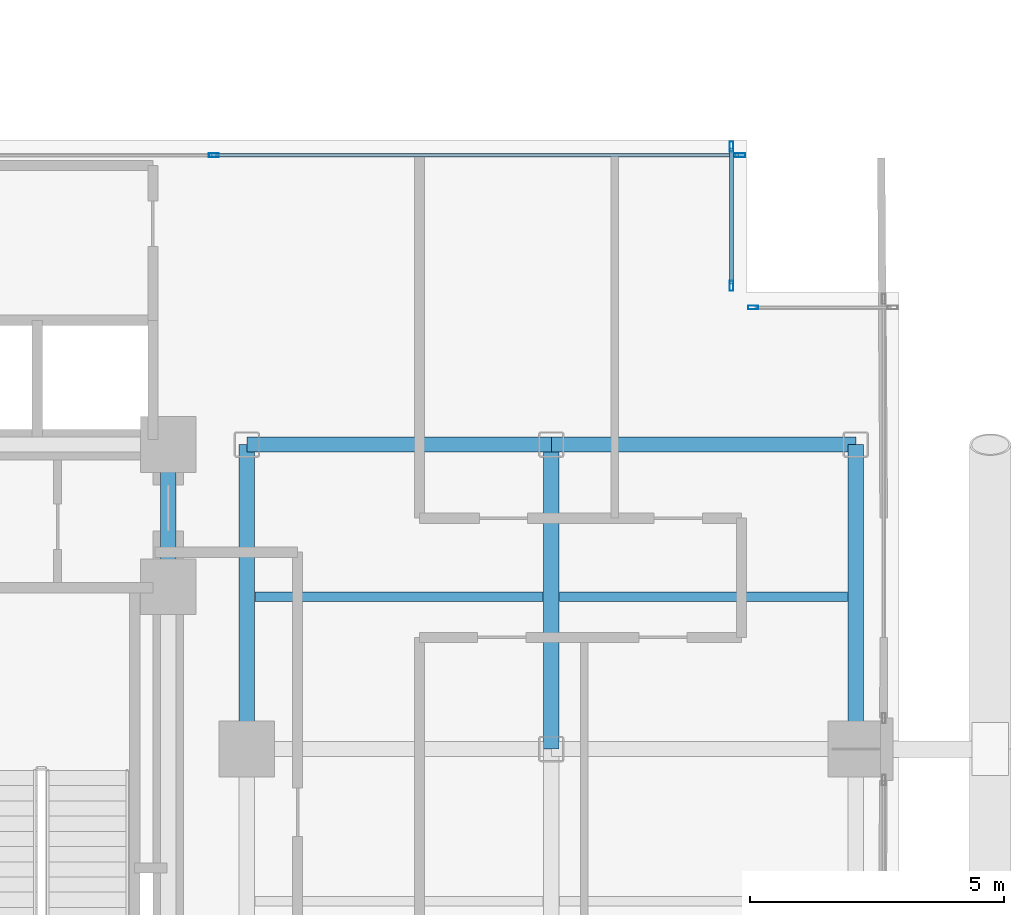
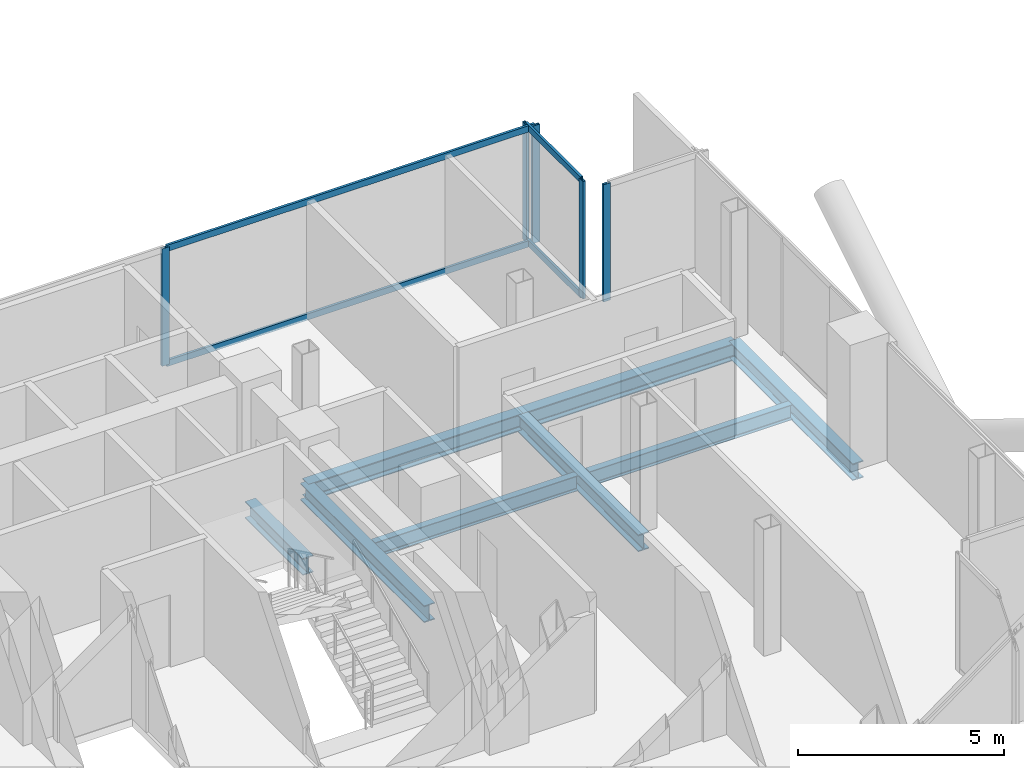
# One storey, part 13 of 28: 9 members, 8 beams, 3 elements without a shape of their own.
"""IFC4 building model written with IfcOpenShell, lengths in metres."""

from ifc_helpers import new_model, si_unit, direction, frame, origin, origin_2d, place, context, subcontext, project, spatial, hollow_rectangle, i_section, extrude, material, layer, layer_set, material_profile, profile_set, type_object, element, aggregate, save


model = new_model("IFC4")

# Units and contexts
model_context = context("Model", 3, precision=1e-05, world=origin(), true_north=direction((0.0, 1.0)))
body_context = subcontext(model_context, "Body", "Model", "MODEL_VIEW")
ifc_project = project(units=[si_unit("LENGTHUNIT", "METRE"), si_unit("AREAUNIT", "SQUARE_METRE"), si_unit("VOLUMEUNIT", "CUBIC_METRE"), si_unit("PLANEANGLEUNIT", "RADIAN"), si_unit("MASSUNIT", "GRAM", prefix="KILO"), si_unit("THERMODYNAMICTEMPERATUREUNIT", "KELVIN"), si_unit("POWERUNIT", "WATT")], contexts=[model_context])

# Site, building, storey
site_placement = place(None, origin())
site = spatial("IfcSite", under=ifc_project, at=site_placement, CompositionType="ELEMENT")
building_placement = place(site_placement, origin())
building = spatial("IfcBuilding", under=site, at=building_placement, Name="Svarakhadi Broadcast Tower", CompositionType="ELEMENT")
storey_placement = place(building_placement, frame((0.0, 0.0, 107.10009765625)))
storey = spatial("IfcBuildingStorey", under=building, at=storey_placement, Name="L25", CompositionType="ELEMENT", Elevation=107.10009765625)

# Beams
ifc_material_1 = material(Name="Steel S355J2 (IS 2062 E350C)", Category="steel")
ifc_material_profile_1 = material_profile(ifc_material_1, i_section(OverallWidth=0.18994140625, OverallDepth=0.449951171875, WebThickness=0.009521484375, FlangeThickness=0.0146484375, FilletRadius=0.02099609375, at=origin_2d()), Name="NPB 450x190x78")
ifc_profile_set_1 = profile_set([ifc_material_profile_1], Name="Steel S355J2 (IS 2062 E350C)")
beam_type_1 = type_object("IfcBeamType", Name="Beam_NPB450", PredefinedType="BEAM", material=ifc_profile_set_1)
for number, where, z_axis, x_axis, name in (
    (1, (35.31005859375, 15.0, -0.4501953125), (1.0, 0.0, 0.0), (0.0, 1.0, 0.0), "L25 Secondary Composite Beam SB021"),
    (2, (41.31005859375, 15.0, -0.4501953125), (1.0, 0.0, 0.0), (0.0, 1.0, 0.0), "L25 Secondary Composite Beam SB023"),
):
    element("IfcBeam", number, at=place(storey_placement, frame(where, z_axis=z_axis, x_axis=x_axis)), inside=storey, type_object=beam_type_1, Name=name, PredefinedType="BEAM", context=body_context, shape_type="SweptSolid", body=[
        extrude(i_section(OverallWidth=0.18994140625, OverallDepth=0.449951171875, WebThickness=0.009521484375, FlangeThickness=0.0146484375, FilletRadius=0.02099609375, at=origin_2d()), origin(), (0.0, 0.0, 1.0), 5.679931640625),
    ])

# Curtain wall, members
ifc_material_2 = material(Name="Anodised Bronze Aluminium AA 6063-T6", Category="aluminium")
ifc_layer = layer(ifc_material_2, 0.199951171875)
ifc_layer_set = layer_set([ifc_layer], Name="Anodised Bronze Aluminium AA 6063-T6")
curtain_wall_type = type_object("IfcCurtainWallType", Name="CW_Sys_03", PredefinedType="NOTDEFINED", material=ifc_layer_set)
curtain_wall_1_placement = place(storey_placement, origin())
curtain_wall_1 = element("IfcCurtainWall", 3, at=curtain_wall_1_placement, inside=storey, type_object=curtain_wall_type, Name="L25 Unitised Facade Curtain Wall 10", PredefinedType="NOTDEFINED")
ifc_material_profile_2 = material_profile(ifc_material_2, hollow_rectangle(XDim=0.074951171875, YDim=0.199951171875, WallThickness=0.005615234375, at=origin_2d()), Name="ALU MULLION 200x75x6")
ifc_profile_set_2 = profile_set([ifc_material_profile_2], Name="Anodised Bronze Aluminium AA 6063-T6")
member_type_1 = type_object("IfcMemberType", Name="CW_Sys_03_Mul", PredefinedType="MULLION", material=ifc_profile_set_2)
member_1_placement = place(storey_placement, frame((34.5, 23.699951171875, 0.0), z_axis=(0.0, 0.0, 1.0), x_axis=(0.0, 1.0, 0.0)))
member_1 = element("IfcMember", 4, at=member_1_placement, type_object=member_type_1, Name="CW-03 mullion 2", PredefinedType="MULLION", context=body_context, shape_type="SweptSolid", body=[
    extrude(hollow_rectangle(XDim=0.074951171875, YDim=0.199951171875, WallThickness=0.005615234375, at=origin_2d()), origin(), (0.0, 0.0, 1.0), 3.474853515625),
])
member_2_placement = place(storey_placement, frame((44.87255859375, 23.699951171875, 0.0), z_axis=(0.0, 0.0, 1.0), x_axis=(0.0, 1.0, 0.0)))
member_2 = element("IfcMember", 5, at=member_2_placement, type_object=member_type_1, Name="CW-03 mullion 3", PredefinedType="MULLION", context=body_context, shape_type="SweptSolid", body=[
    extrude(hollow_rectangle(XDim=0.074951171875, YDim=0.199951171875, WallThickness=0.005615234375, at=origin_2d()), origin(), (0.0, 0.0, 1.0), 3.474853515625),
])

curtain_wall_2_placement = place(storey_placement, origin())
curtain_wall_2 = element("IfcCurtainWall", 6, at=curtain_wall_2_placement, inside=storey, type_object=curtain_wall_type, Name="L25 Unitised Facade Curtain Wall 11", PredefinedType="NOTDEFINED")
member_3_placement = place(storey_placement, frame((44.699951171875, 23.87255859375, 0.0), z_axis=(0.0, 0.0, 1.0), x_axis=(1.0, 0.0, 0.0)))
member_3 = element("IfcMember", 7, at=member_3_placement, type_object=member_type_1, Name="CW-03 mullion 1", PredefinedType="MULLION", context=body_context, shape_type="SweptSolid", body=[
    extrude(hollow_rectangle(XDim=0.074951171875, YDim=0.199951171875, WallThickness=0.005615234375, at=origin_2d()), origin(), (0.0, 0.0, 1.0), 3.474853515625),
])
member_4_placement = place(storey_placement, frame((44.699951171875, 21.12744140625, 0.0), z_axis=(0.0, 0.0, 1.0), x_axis=(1.0, 0.0, 0.0)))
member_4 = element("IfcMember", 8, at=member_4_placement, type_object=member_type_1, Name="CW-03 mullion 2", PredefinedType="MULLION", context=body_context, shape_type="SweptSolid", body=[
    extrude(hollow_rectangle(XDim=0.074951171875, YDim=0.199951171875, WallThickness=0.005615234375, at=origin_2d()), origin(), (0.0, 0.0, 1.0), 3.474853515625),
])

# Curtain wall, member
curtain_wall_3_placement = place(storey_placement, origin())
curtain_wall_3 = element("IfcCurtainWall", 9, at=curtain_wall_3_placement, inside=storey, type_object=curtain_wall_type, Name="L25 Unitised Facade Curtain Wall 12", PredefinedType="NOTDEFINED")
member_5_placement = place(storey_placement, frame((45.12744140625, 20.699951171875, 0.0), z_axis=(0.0, 0.0, 1.0), x_axis=(0.0, 1.0, 0.0)))
member_5 = element("IfcMember", 10, at=member_5_placement, type_object=member_type_1, Name="CW-03 mullion 1", PredefinedType="MULLION", context=body_context, shape_type="SweptSolid", body=[
    extrude(hollow_rectangle(XDim=0.074951171875, YDim=0.199951171875, WallThickness=0.005615234375, at=origin_2d()), origin(), (0.0, 0.0, 1.0), 3.474853515625),
])
aggregate(curtain_wall_3, [member_5])

# Member
ifc_material_profile_3 = material_profile(ifc_material_2, hollow_rectangle(XDim=0.070068359375, YDim=0.18505859375, WallThickness=0.0048828125, at=origin_2d()), Name="ALU TRANSOM 185x70x5")
ifc_profile_set_3 = profile_set([ifc_material_profile_3], Name="Anodised Bronze Aluminium AA 6063-T6")
member_type_2 = type_object("IfcMemberType", Name="CW_Sys_03_Trn", PredefinedType="USERDEFINED", material=ifc_profile_set_3)
member_6_placement = place(storey_placement, frame((34.53759765625, 23.699951171875, 0.034912109375), z_axis=(1.0, 0.0, 0.0), x_axis=(0.0, 1.0, 0.0)))
member_6 = element("IfcMember", 11, at=member_6_placement, type_object=member_type_2, Name="CW-03 transom 2.1", ObjectType="TRANSOM", PredefinedType="USERDEFINED", context=body_context, shape_type="SweptSolid", body=[
    extrude(hollow_rectangle(XDim=0.070068359375, YDim=0.18505859375, WallThickness=0.0048828125, at=origin_2d()), origin(), (0.0, 0.0, 1.0), 10.29736328125),
])

member_7_placement = place(storey_placement, frame((34.53759765625, 23.699951171875, 3.43994140625), z_axis=(1.0, 0.0, 0.0), x_axis=(0.0, 1.0, 0.0)))
member_7 = element("IfcMember", 12, at=member_7_placement, type_object=member_type_2, Name="CW-03 transom 2.2", ObjectType="TRANSOM", PredefinedType="USERDEFINED", context=body_context, shape_type="SweptSolid", body=[
    extrude(hollow_rectangle(XDim=0.070068359375, YDim=0.18505859375, WallThickness=0.0048828125, at=origin_2d()), origin(), (0.0, 0.0, 1.0), 10.29736328125),
])

aggregate(curtain_wall_1, [member_1, member_2, member_6, member_7])

member_8_placement = place(storey_placement, frame((44.699951171875, 23.8349609375, 0.034912109375), z_axis=(0.0, -1.0, 0.0), x_axis=(1.0, 0.0, 0.0)))
member_8 = element("IfcMember", 13, at=member_8_placement, type_object=member_type_2, Name="CW-03 transom 1.1", ObjectType="TRANSOM", PredefinedType="USERDEFINED", context=body_context, shape_type="SweptSolid", body=[
    extrude(hollow_rectangle(XDim=0.070068359375, YDim=0.18505859375, WallThickness=0.0048828125, at=origin_2d()), origin(), (0.0, 0.0, 1.0), 2.669921875),
])

member_9_placement = place(storey_placement, frame((44.699951171875, 23.8349609375, 3.43994140625), z_axis=(0.0, -1.0, 0.0), x_axis=(1.0, 0.0, 0.0)))
member_9 = element("IfcMember", 14, at=member_9_placement, type_object=member_type_2, Name="CW-03 transom 1.2", ObjectType="TRANSOM", PredefinedType="USERDEFINED", context=body_context, shape_type="SweptSolid", body=[
    extrude(hollow_rectangle(XDim=0.070068359375, YDim=0.18505859375, WallThickness=0.0048828125, at=origin_2d()), origin(), (0.0, 0.0, 1.0), 2.669921875),
])

aggregate(curtain_wall_2, [member_3, member_4, member_8, member_9])

# Beams
ifc_material_profile_4 = material_profile(ifc_material_1, i_section(OverallWidth=0.300048828125, OverallDepth=0.5, WebThickness=0.014404296875, FlangeThickness=0.028076171875, FilletRadius=0.027099609375, at=origin_2d()), Name="WPB 500x300x187")
ifc_profile_set_4 = profile_set([ifc_material_profile_4], Name="Steel S355J2 (IS 2062 E350C)")
beam_type_2 = type_object("IfcBeamType", Name="Girder_WPB500", PredefinedType="USERDEFINED", material=ifc_profile_set_4)
for number, where, z_axis, x_axis, name in (
    (15, (35.14990234375, 18.0, -0.47509765625), (1.0, 0.0, 0.0), (0.0, 1.0, 0.0), "L25 Primary E-W Girder G028"),
    (16, (41.14990234375, 18.0, -0.47509765625), (1.0, 0.0, 0.0), (0.0, 1.0, 0.0), "L25 Primary E-W Girder G029"),
):
    element("IfcBeam", number, at=place(storey_placement, frame(where, z_axis=z_axis, x_axis=x_axis)), inside=storey, type_object=beam_type_2, Name=name, ObjectType="GIRDER", PredefinedType="USERDEFINED", context=body_context, shape_type="SweptSolid", body=[
        extrude(i_section(OverallWidth=0.300048828125, OverallDepth=0.5, WebThickness=0.014404296875, FlangeThickness=0.028076171875, FilletRadius=0.027099609375, at=origin_2d()), origin(), (0.0, 0.0, 1.0), 6.0),
    ])
beam_placement = place(storey_placement, frame((33.60009765625, 15.199951171875, -0.47509765625), z_axis=(0.0, 1.0, 0.0), x_axis=(-1.0, 0.0, 0.0)))
element("IfcBeam", 17, at=beam_placement, inside=storey, type_object=beam_type_2, Name="L25 Primary N-S Girder G066", ObjectType="GIRDER", PredefinedType="USERDEFINED", context=body_context, shape_type="SweptSolid", body=[
    extrude(i_section(OverallWidth=0.300048828125, OverallDepth=0.5, WebThickness=0.014404296875, FlangeThickness=0.028076171875, FilletRadius=0.027099609375, at=origin_2d()), origin(), (0.0, 0.0, 1.0), 2.800048828125),
])
for number, where, z_axis, x_axis, name in (
    (18, (35.14990234375, 12.0, -0.47509765625), (0.0, 1.0, 0.0), (-1.0, 0.0, 0.0), "L25 Primary N-S Girder G069"),
    (19, (41.14990234375, 12.0, -0.47509765625), (0.0, 1.0, 0.0), (-1.0, 0.0, 0.0), "L25 Primary N-S Girder G072"),
    (20, (47.14990234375, 12.0, -0.47509765625), (0.0, 1.0, 0.0), (-1.0, 0.0, 0.0), "L25 Primary N-S Girder G074"),
):
    element("IfcBeam", number, at=place(storey_placement, frame(where, z_axis=z_axis, x_axis=x_axis)), inside=storey, type_object=beam_type_2, Name=name, ObjectType="GIRDER", PredefinedType="USERDEFINED", context=body_context, shape_type="SweptSolid", body=[
        extrude(i_section(OverallWidth=0.300048828125, OverallDepth=0.5, WebThickness=0.014404296875, FlangeThickness=0.028076171875, FilletRadius=0.027099609375, at=origin_2d()), origin(), (0.0, 0.0, 1.0), 6.0),
    ])

save(model, "model.ifc")
